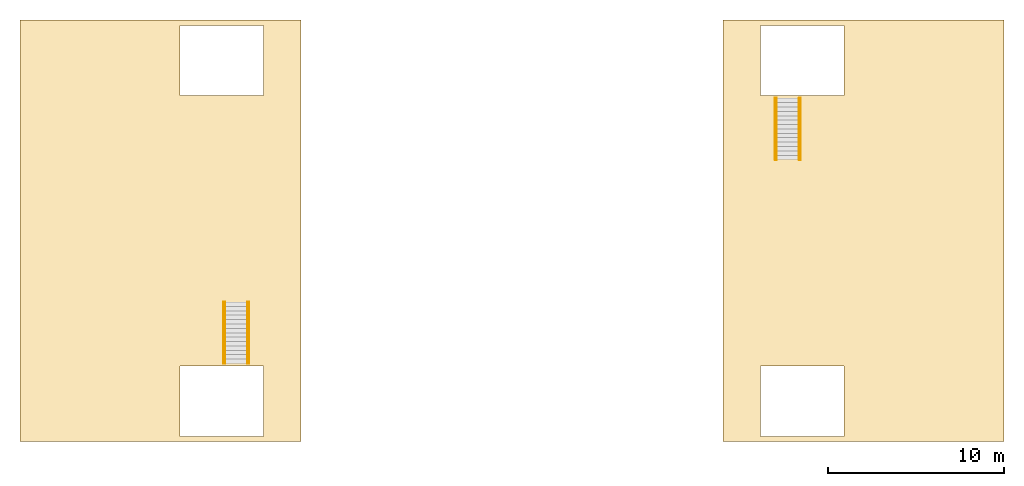
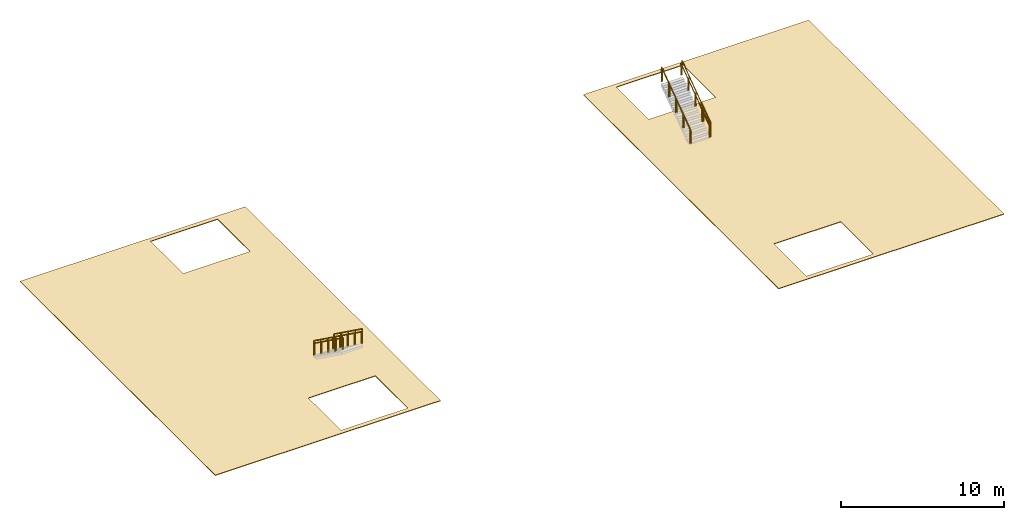
# One storey, part 2 of 2: 8 railings, 2 coverings.
"""IFC4 building model written with IfcOpenShell, lengths in metres."""

from ifc_helpers import new_model, si_unit, direction, frame, origin, origin_2d, place, context, subcontext, project, spatial, polyline, circle, outline, extrude, material, layer, layer_set, type_object, element, save


model = new_model("IFC4")

# Units and contexts
model_context = context("Model", 3, precision=1e-05, world=origin(), true_north=direction((0.0, 1.0)))
body_context = subcontext(model_context, "Body", "Model", "MODEL_VIEW")
ifc_project = project(units=[si_unit("LENGTHUNIT", "METRE"), si_unit("AREAUNIT", "SQUARE_METRE"), si_unit("VOLUMEUNIT", "CUBIC_METRE"), si_unit("PLANEANGLEUNIT", "RADIAN"), si_unit("MASSUNIT", "GRAM", prefix="KILO")], contexts=[model_context])

# Site, building, storey
site_placement = place(None, origin())
site = spatial("IfcSite", under=ifc_project, at=site_placement, CompositionType="ELEMENT")
building_placement = place(site_placement, origin())
building = spatial("IfcBuilding", under=site, at=building_placement, Name="Crosswind Convention Tower", CompositionType="ELEMENT")
storey_placement = place(building_placement, frame((0.0, 0.0, 358.300048828125)))
storey = spatial("IfcBuildingStorey", under=building, at=storey_placement, Name="ROOF", CompositionType="ELEMENT", Elevation=358.300048828125)

# Coverings
ifc_material_1 = material(Name="Bituminous membrane with concrete paving", Category="concrete")
ifc_layer = layer(ifc_material_1, 0.050048828125)
ifc_layer_set = layer_set([ifc_layer], Name="Roof deck waterproofing and paving 50")
covering_type = type_object("IfcCoveringType", Name="Roof deck waterproofing and paving 50", PredefinedType="ROOFING", material=ifc_layer_set)
covering_1_placement = place(storey_placement, origin())
element("IfcCovering", 1, at=covering_1_placement, inside=storey, type_object=covering_type, Name="Roof deck paving E", PredefinedType="ROOFING", context=body_context, shape_type="SweptSolid", body=[
    extrude(outline(polyline([(137.0, 88.0), (153.0, 88.0), (153.0, 112.0), (137.0, 112.0), (137.0, 88.0)]), holes=[polyline([(143.89990234375, 107.699951171875), (143.89990234375, 111.699951171875), (139.14990234375, 111.699951171875), (139.14990234375, 107.699951171875), (143.89990234375, 107.699951171875)]), polyline([(143.89990234375, 88.300048828125), (143.89990234375, 92.300048828125), (139.14990234375, 92.300048828125), (139.14990234375, 88.300048828125), (143.89990234375, 88.300048828125)])]), origin(), (0.0, 0.0, 1.0), 0.050048828125),
])
covering_2_placement = place(storey_placement, origin())
element("IfcCovering", 2, at=covering_2_placement, inside=storey, type_object=covering_type, Name="Roof deck paving W", PredefinedType="ROOFING", context=body_context, shape_type="SweptSolid", body=[
    extrude(outline(polyline([(97.0, 88.0), (113.0, 88.0), (113.0, 112.0), (97.0, 112.0), (97.0, 88.0)]), holes=[polyline([(110.85009765625, 88.300048828125), (110.85009765625, 92.300048828125), (106.10009765625, 92.300048828125), (106.10009765625, 88.300048828125), (110.85009765625, 88.300048828125)]), polyline([(110.85009765625, 107.699951171875), (110.85009765625, 111.699951171875), (106.10009765625, 111.699951171875), (106.10009765625, 107.699951171875), (110.85009765625, 107.699951171875)])]), origin(), (0.0, 0.0, 1.0), 0.050048828125),
])

# Railings
ifc_material_2 = material(Name="Stainless steel and laminated glass", Category="steel")
railing_type_1 = type_object("IfcRailingType", Name="Stair guard 1100", PredefinedType="GUARDRAIL", material=ifc_material_2)
for number, where, name in (
    (3, (139.97998046875, 104.050048828125, 0.179931640625), "Roof access stair RA1 guard A"),
    (4, (141.419921875, 104.050048828125, 0.179931640625), "Roof access stair RA1 guard B"),
):
    element("IfcRailing", number, at=place(storey_placement, frame(where)), inside=storey, type_object=railing_type_1, Name=name, PredefinedType="GUARDRAIL", context=body_context, shape_type="SweptSolid", body=[
        extrude(circle(Radius=0.02392578125, at=origin_2d()), frame((0.0, 0.0, 1.076171875), z_axis=(0.0, 0.811532194041, 0.584307708349), x_axis=(-1.0, 0.0, 0.0)), (0.0, 0.0, 1.0), 4.312744140625),
        extrude(circle(Radius=0.02099609375, at=origin_2d()), origin(), (0.0, 0.0, 1.0), 1.052001953125),
        extrude(circle(Radius=0.02099609375, at=origin_2d()), frame((0.0, 0.875, 0.6298828125)), (0.0, 0.0, 1.0), 1.052001953125),
        extrude(circle(Radius=0.02099609375, at=origin_2d()), frame((0.0, 1.75, 1.260009765625)), (0.0, 0.0, 1.0), 1.052001953125),
        extrude(circle(Radius=0.02099609375, at=origin_2d()), frame((0.0, 2.625, 1.89013671875)), (0.0, 0.0, 1.0), 1.052001953125),
        extrude(circle(Radius=0.02099609375, at=origin_2d()), frame((0.0, 3.5, 2.52001953125)), (0.0, 0.0, 1.0), 1.052001953125),
    ])
for number, where, name in (
    (5, (110.02001953125, 95.949951171875, 0.179931640625), "Roof access stair RA2 guard A"),
    (6, (108.580078125, 95.949951171875, 0.179931640625), "Roof access stair RA2 guard B"),
):
    element("IfcRailing", number, at=place(storey_placement, frame(where)), inside=storey, type_object=railing_type_1, Name=name, PredefinedType="GUARDRAIL", context=body_context, shape_type="SweptSolid", body=[
        extrude(circle(Radius=0.02392578125, at=origin_2d()), frame((0.0, 0.0, 1.076171875), z_axis=(0.0, -0.811532194041, 0.584307708349), x_axis=(1.0, 0.0, 0.0)), (0.0, 0.0, 1.0), 4.312744140625),
        extrude(circle(Radius=0.02099609375, at=origin_2d()), origin(), (0.0, 0.0, 1.0), 1.052001953125),
        extrude(circle(Radius=0.02099609375, at=origin_2d()), frame((0.0, -0.875, 0.6298828125)), (0.0, 0.0, 1.0), 1.052001953125),
        extrude(circle(Radius=0.02099609375, at=origin_2d()), frame((0.0, -1.75, 1.260009765625)), (0.0, 0.0, 1.0), 1.052001953125),
        extrude(circle(Radius=0.02099609375, at=origin_2d()), frame((0.0, -2.625, 1.89013671875)), (0.0, 0.0, 1.0), 1.052001953125),
        extrude(circle(Radius=0.02099609375, at=origin_2d()), frame((0.0, -3.5, 2.52001953125)), (0.0, 0.0, 1.0), 1.052001953125),
    ])
ifc_material_3 = material(Name="Stainless steel", Category="steel")
railing_type_2 = type_object("IfcRailingType", Name="Stair handrail 900", PredefinedType="HANDRAIL", material=ifc_material_3)
for number, where, name in (
    (7, (140.050048828125, 104.050048828125, 0.179931640625), "Roof access stair RA1 handrail A"),
    (8, (141.35009765625, 104.050048828125, 0.179931640625), "Roof access stair RA1 handrail B"),
):
    element("IfcRailing", number, at=place(storey_placement, frame(where)), inside=storey, type_object=railing_type_2, Name=name, PredefinedType="HANDRAIL", context=body_context, shape_type="SweptSolid", body=[
        extrude(circle(Radius=0.02392578125, at=origin_2d()), frame((0.0, 0.0, 0.8759765625), z_axis=(0.0, 0.811532194041, 0.584307708349), x_axis=(-1.0, 0.0, 0.0)), (0.0, 0.0, 1.0), 4.312744140625),
        extrude(circle(Radius=0.02099609375, at=origin_2d()), origin(), (0.0, 0.0, 1.0), 0.851806640625),
        extrude(circle(Radius=0.02099609375, at=origin_2d()), frame((0.0, 0.875, 0.6298828125)), (0.0, 0.0, 1.0), 0.851806640625),
        extrude(circle(Radius=0.02099609375, at=origin_2d()), frame((0.0, 1.75, 1.260009765625)), (0.0, 0.0, 1.0), 0.851806640625),
        extrude(circle(Radius=0.02099609375, at=origin_2d()), frame((0.0, 2.625, 1.89013671875)), (0.0, 0.0, 1.0), 0.851806640625),
        extrude(circle(Radius=0.02099609375, at=origin_2d()), frame((0.0, 3.5, 2.52001953125)), (0.0, 0.0, 1.0), 0.851806640625),
    ])
for number, where, name in (
    (9, (109.949951171875, 95.949951171875, 0.179931640625), "Roof access stair RA2 handrail A"),
    (10, (108.64990234375, 95.949951171875, 0.179931640625), "Roof access stair RA2 handrail B"),
):
    element("IfcRailing", number, at=place(storey_placement, frame(where)), inside=storey, type_object=railing_type_2, Name=name, PredefinedType="HANDRAIL", context=body_context, shape_type="SweptSolid", body=[
        extrude(circle(Radius=0.02392578125, at=origin_2d()), frame((0.0, 0.0, 0.8759765625), z_axis=(0.0, -0.811532194041, 0.584307708349), x_axis=(1.0, 0.0, 0.0)), (0.0, 0.0, 1.0), 4.312744140625),
        extrude(circle(Radius=0.02099609375, at=origin_2d()), origin(), (0.0, 0.0, 1.0), 0.851806640625),
        extrude(circle(Radius=0.02099609375, at=origin_2d()), frame((0.0, -0.875, 0.6298828125)), (0.0, 0.0, 1.0), 0.851806640625),
        extrude(circle(Radius=0.02099609375, at=origin_2d()), frame((0.0, -1.75, 1.260009765625)), (0.0, 0.0, 1.0), 0.851806640625),
        extrude(circle(Radius=0.02099609375, at=origin_2d()), frame((0.0, -2.625, 1.89013671875)), (0.0, 0.0, 1.0), 0.851806640625),
        extrude(circle(Radius=0.02099609375, at=origin_2d()), frame((0.0, -3.5, 2.52001953125)), (0.0, 0.0, 1.0), 0.851806640625),
    ])

save(model, "model.ifc")
